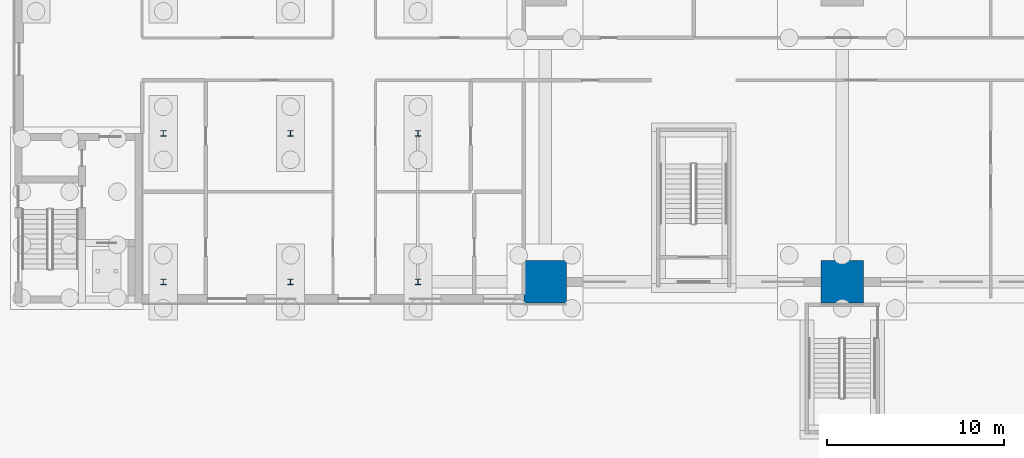
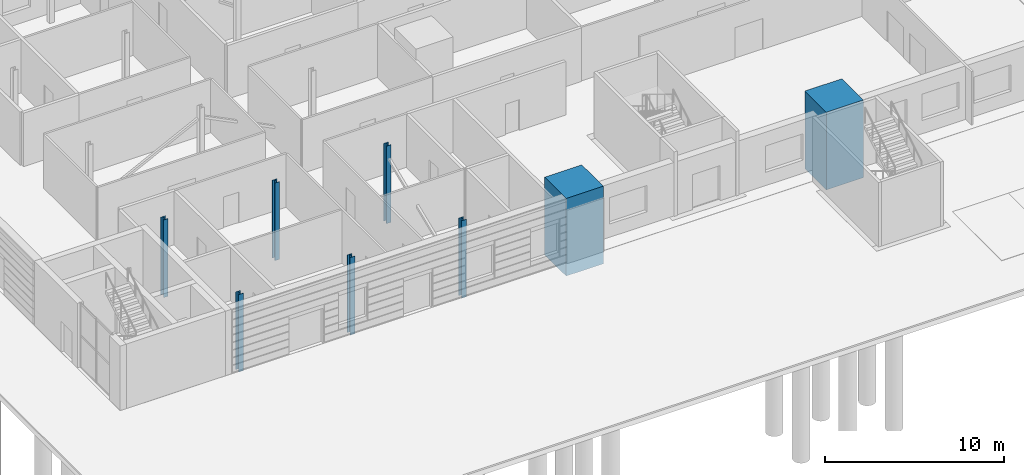
# One storey, part 8 of 139: 8 columns.
"""IFC4 building model written with IfcOpenShell, lengths in metres."""

from ifc_helpers import new_model, si_unit, direction, frame, origin, origin_2d, place, context, subcontext, project, spatial, rectangle, i_section, extrude, material, material_profile, profile_set, type_object, element, save


model = new_model("IFC4")

# Units and contexts
model_context = context("Model", 3, precision=1e-05, world=origin(), true_north=direction((0.0, 1.0)))
body_context = subcontext(model_context, "Body", "Model", "MODEL_VIEW")
ifc_project = project(units=[si_unit("LENGTHUNIT", "METRE"), si_unit("AREAUNIT", "SQUARE_METRE"), si_unit("VOLUMEUNIT", "CUBIC_METRE"), si_unit("PLANEANGLEUNIT", "RADIAN"), si_unit("MASSUNIT", "GRAM", prefix="KILO")], contexts=[model_context])

# Site, building, storey
site_placement = place(None, origin())
site = spatial("IfcSite", under=ifc_project, at=site_placement, CompositionType="ELEMENT")
building_placement = place(site_placement, origin())
building = spatial("IfcBuilding", under=site, at=building_placement, Name="Verrick Yard Athletic Hall", CompositionType="ELEMENT")
storey_placement = place(building_placement, origin())
storey = spatial("IfcBuildingStorey", under=building, at=storey_placement, Name="L00", CompositionType="ELEMENT", Elevation=0.0)

# Columns
ifc_material_1 = material(Name="Concrete 35 MPa", Category="concrete")
ifc_material_profile_1 = material_profile(ifc_material_1, rectangle(XDim=2.39990234375, YDim=2.39990234375, at=origin_2d()), Name="STR Buttress pier PR1")
ifc_profile_set_1 = profile_set([ifc_material_profile_1], Name="Concrete 35 MPa")
column_type_1 = type_object("IfcColumnType", Name="STR Buttress pier PR1", PredefinedType="COLUMN", material=ifc_profile_set_1)
for number, where, z_axis, x_axis, name in (
    (1, (40.0, 19.199951171875, -0.89990234375), (0.0, 0.0, 1.0), (1.0, 0.0, 0.0), "Buttress pier P1A"),
    (2, (56.800048828125, 19.199951171875, -0.89990234375), (0.0, 0.0, 1.0), (1.0, 0.0, 0.0), "Buttress pier P2A"),
):
    element("IfcColumn", number, at=place(storey_placement, frame(where, z_axis=z_axis, x_axis=x_axis)), inside=storey, type_object=column_type_1, Name=name, PredefinedType="COLUMN", context=body_context, shape_type="SweptSolid", body=[
        extrude(rectangle(XDim=2.39990234375, YDim=2.39990234375, at=origin_2d()), origin(), (0.0, 0.0, 1.0), 5.2998046875),
    ])
ifc_material_2 = material(Name="Structural steel 350W (CSA G40.21)", Category="steel")
ifc_material_profile_2 = material_profile(ifc_material_2, i_section(OverallWidth=0.30908203125, OverallDepth=0.322998046875, WebThickness=0.013916015625, FlangeThickness=0.02294921875, at=origin_2d()), Name="W310x143")
ifc_profile_set_2 = profile_set([ifc_material_profile_2], Name="Structural steel 350W (CSA G40.21)")
column_type_2 = type_object("IfcColumnType", Name="STR Wing column W310x143", PredefinedType="COLUMN", material=ifc_profile_set_2)
for number, where, z_axis, x_axis, name in (
    (3, (18.39990234375, 19.199951171875, -0.89990234375), (0.0, 0.0, 1.0), (1.0, 0.0, 0.0), "Wing column WC21"),
    (4, (18.39990234375, 27.60009765625, -0.89990234375), (0.0, 0.0, 1.0), (1.0, 0.0, 0.0), "Wing column WC22"),
    (5, (25.60009765625, 19.199951171875, -0.89990234375), (0.0, 0.0, 1.0), (1.0, 0.0, 0.0), "Wing column WC31"),
    (6, (25.60009765625, 27.60009765625, -0.89990234375), (0.0, 0.0, 1.0), (1.0, 0.0, 0.0), "Wing column WC32"),
    (7, (32.800048828125, 19.199951171875, -0.89990234375), (0.0, 0.0, 1.0), (1.0, 0.0, 0.0), "Wing column WC41"),
    (8, (32.800048828125, 27.60009765625, -0.89990234375), (0.0, 0.0, 1.0), (1.0, 0.0, 0.0), "Wing column WC42"),
):
    element("IfcColumn", number, at=place(storey_placement, frame(where, z_axis=z_axis, x_axis=x_axis)), inside=storey, type_object=column_type_2, Name=name, PredefinedType="COLUMN", context=body_context, shape_type="SweptSolid", body=[
        extrude(i_section(OverallWidth=0.30908203125, OverallDepth=0.322998046875, WebThickness=0.013916015625, FlangeThickness=0.02294921875, at=origin_2d()), origin(), (0.0, 0.0, 1.0), 5.2998046875),
    ])

save(model, "model.ifc")
